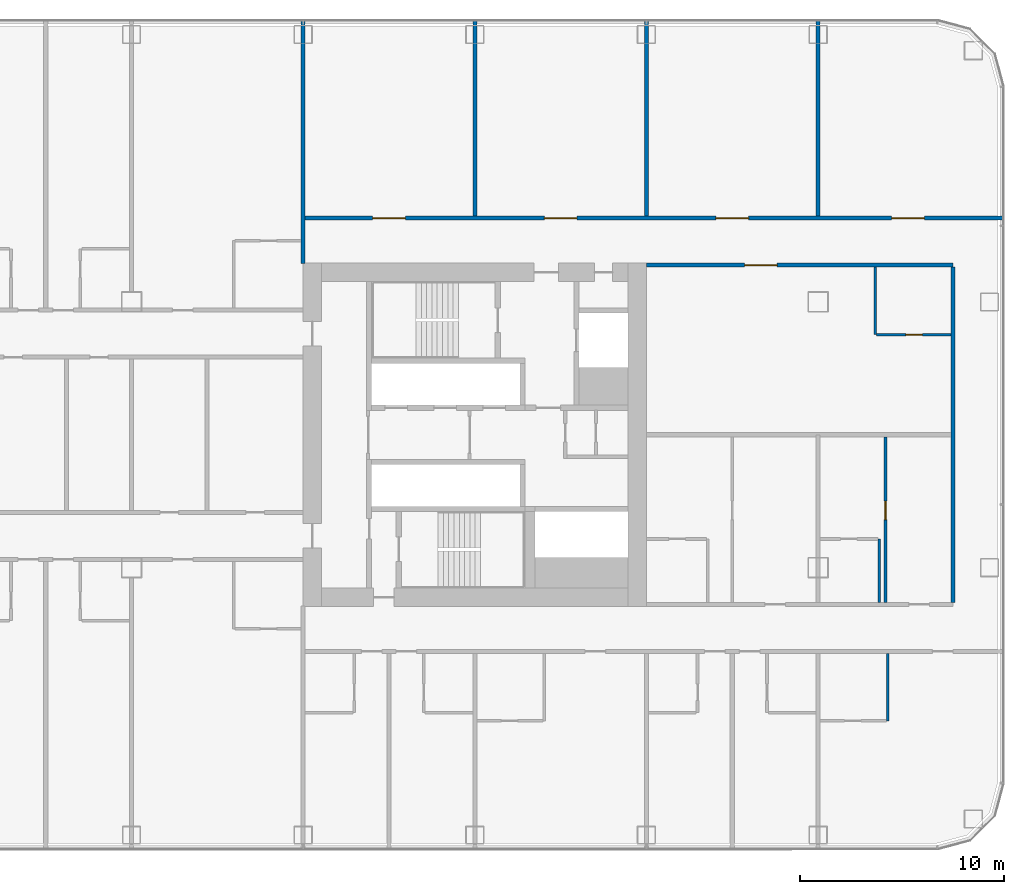
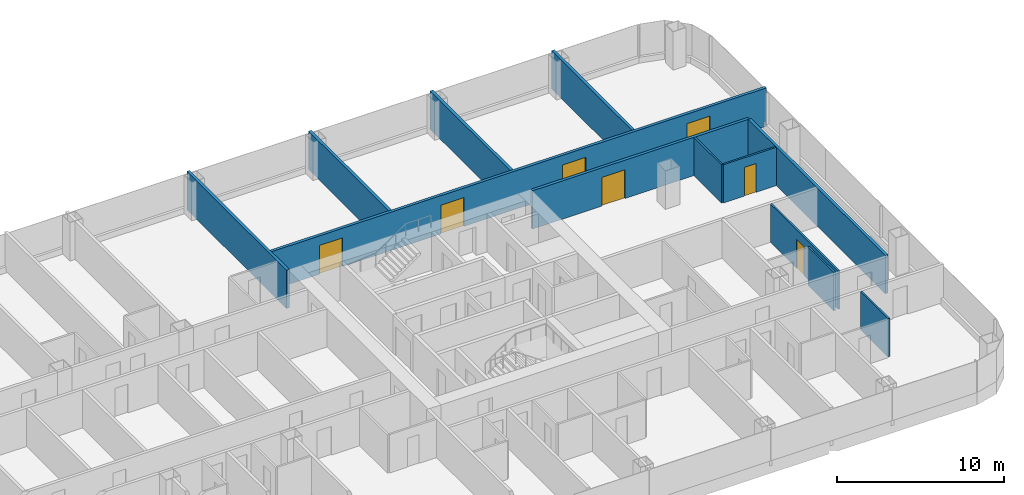
# One storey, part 20 of 29: 12 walls, 7 doors, 7 openings.
"""IFC4 building model written with IfcOpenShell, lengths in metres."""

from ifc_helpers import new_model, si_unit, direction, frame, frame_2d, origin, place, context, subcontext, project, spatial, rectangle, extrude, material, layer, layer_set, type_object, element, fill, save


model = new_model("IFC4")

# Units and contexts
model_context = context("Model", 3, precision=1e-05, world=origin(), true_north=direction((0.0, 1.0)))
body_context = subcontext(model_context, "Body", "Model", "MODEL_VIEW")
ifc_project = project(units=[si_unit("LENGTHUNIT", "METRE"), si_unit("AREAUNIT", "SQUARE_METRE"), si_unit("VOLUMEUNIT", "CUBIC_METRE"), si_unit("PLANEANGLEUNIT", "RADIAN"), si_unit("MASSUNIT", "GRAM", prefix="KILO")], contexts=[model_context])

# Site, building, storey
site_placement = place(None, origin())
site = spatial("IfcSite", under=ifc_project, at=site_placement, CompositionType="ELEMENT")
building_placement = place(site_placement, origin())
building = spatial("IfcBuilding", under=site, at=building_placement, Name="Hakoniwa Tower and Hamabe Station Hall", CompositionType="ELEMENT")
storey_placement = place(building_placement, frame((0.0, 0.0, 29.39990234375)))
storey = spatial("IfcBuildingStorey", under=building, at=storey_placement, Name="L07", CompositionType="ELEMENT", Elevation=29.39990234375)

# Wall, opening, door
ifc_material_1 = material(Name="Gypsum board partition", Category="gypsum")
ifc_layer_1 = layer(ifc_material_1, 0.125)
ifc_layer_set_1 = layer_set([ifc_layer_1], Name="Bathroom Partition 125")
wall_type_1 = type_object("IfcWallType", Name="Bathroom Partition 125", PredefinedType="PARTITIONING", material=ifc_layer_set_1)
wall_1_placement = place(storey_placement, frame((44.862548828125, 4.89990234375, 0.0), z_axis=(0.0, 0.0, 1.0), x_axis=(1.0, 0.0, 0.0)))
wall_1 = element("IfcWall", 1, at=wall_1_placement, inside=storey, type_object=wall_type_1, Name="GW-L07-030", PredefinedType="PARTITIONING", context=body_context, shape_type="SweptSolid", body=[
    extrude(rectangle(XDim=3.637451171875, YDim=0.125, at=frame_2d((1.81884765625, 0.0))), origin(), (0.0, 0.0, 1.0), 2.800048828125),
])
opening_1_placement = place(wall_1_placement, frame((1.4375, 0.0, 0.0)))
opening_1 = element("IfcOpeningElement", 2, at=opening_1_placement, cuts=wall_1, Name="Opening GD-G1D0-39", PredefinedType="OPENING", context=body_context, shape_type="SweptSolid", body=[
    extrude(rectangle(XDim=0.800048828125, YDim=2.10009765625, at=frame_2d((0.39990234375, 1.050048828125))), frame((0.0, 0.072509765625, 0.0), z_axis=(0.0, -1.0, 0.0), x_axis=(1.0, 0.0, 0.0)), (0.0, 0.0, 1.0), 0.14501953125),
])
ifc_material_2 = material(Name="Timber door leaf", Category="wood")
door_type_1 = type_object("IfcDoorType", Name="Bathroom Door 800", OperationType="SINGLE_SWING_LEFT", PredefinedType="DOOR", material=ifc_material_2)
door_1_placement = place(opening_1_placement, origin())
door_1 = element("IfcDoor", 3, at=door_1_placement, inside=storey, type_object=door_type_1, Name="Door GD-G1D0-39", OperationType="SINGLE_SWING_RIGHT", OverallHeight=2.10009765625, OverallWidth=0.800048828125, PredefinedType="DOOR", context=body_context, shape_type="SweptSolid", body=[
    extrude(rectangle(XDim=0.800048828125, YDim=2.10009765625, at=frame_2d((0.39990234375, 1.050048828125))), frame((0.0, 0.02490234375, 0.0), z_axis=(0.0, -1.0, 0.0), x_axis=(1.0, 0.0, 0.0)), (0.0, 0.0, 1.0), 0.050048828125),
])
fill(opening_1, door_1)

# Walls
wall_2_placement = place(storey_placement, frame((44.800048828125, 4.89990234375, 0.0), z_axis=(0.0, 0.0, 1.0), x_axis=(0.0, 1.0, 0.0)))
element("IfcWall", 4, at=wall_2_placement, inside=storey, type_object=wall_type_1, Name="GW-L07-112", PredefinedType="PARTITIONING", context=body_context, shape_type="SweptSolid", body=[
    extrude(rectangle(XDim=3.300048828125, YDim=0.125, at=frame_2d((1.64990234375, 0.0))), origin(), (0.0, 0.0, 1.0), 2.800048828125),
])
wall_3_placement = place(storey_placement, frame((45.0, -8.199951171875, 0.0), z_axis=(0.0, 0.0, 1.0), x_axis=(0.0, 1.0, 0.0)))
element("IfcWall", 5, at=wall_3_placement, inside=storey, type_object=wall_type_1, Name="GW-L07-113", PredefinedType="PARTITIONING", context=body_context, shape_type="SweptSolid", body=[
    extrude(rectangle(XDim=3.099853515625, YDim=0.125, at=frame_2d((1.5498046875, 0.0))), origin(), (0.0, 0.0, 1.0), 2.800048828125),
])
wall_4_placement = place(storey_placement, frame((45.39990234375, -14.0, 0.0), z_axis=(0.0, 0.0, 1.0), x_axis=(0.0, 1.0, 0.0)))
element("IfcWall", 6, at=wall_4_placement, inside=storey, type_object=wall_type_1, Name="GW-L07-115", PredefinedType="PARTITIONING", context=body_context, shape_type="SweptSolid", body=[
    extrude(rectangle(XDim=3.300048828125, YDim=0.125, at=frame_2d((1.64990234375, 0.0))), origin(), (0.0, 0.0, 1.0), 2.800048828125),
])

# Wall, opening, door
ifc_material_3 = material(Name="Fire-rated gypsum board partition", Category="gypsum")
ifc_layer_2 = layer(ifc_material_3, 0.199951171875)
ifc_layer_set_2 = layer_set([ifc_layer_2], Name="Corridor Wall 200")
wall_type_2 = type_object("IfcWallType", Name="Corridor Wall 200", PredefinedType="PARTITIONING", material=ifc_layer_set_2)
wall_5_placement = place(storey_placement, frame((33.60009765625, 8.300048828125, 0.0), z_axis=(0.0, 0.0, 1.0), x_axis=(1.0, 0.0, 0.0)))
wall_5 = element("IfcWall", 7, at=wall_5_placement, inside=storey, type_object=wall_type_2, Name="GW-L07-034", PredefinedType="PARTITIONING", context=body_context, shape_type="SweptSolid", body=[
    extrude(rectangle(XDim=15.0, YDim=0.199951171875, at=frame_2d((7.5, 0.0))), origin(), (0.0, 0.0, 1.0), 2.800048828125),
])
opening_2_placement = place(wall_5_placement, frame((4.800048828125, 0.0, 0.0)))
opening_2 = element("IfcOpeningElement", 8, at=opening_2_placement, cuts=wall_5, Name="Opening GD-G1D0-47", PredefinedType="OPENING", context=body_context, shape_type="SweptSolid", body=[
    extrude(rectangle(XDim=1.60009765625, YDim=2.10009765625, at=frame_2d((0.800048828125, 1.050048828125))), frame((0.0, 0.10986328125, 0.0), z_axis=(0.0, -1.0, 0.0), x_axis=(1.0, 0.0, 0.0)), (0.0, 0.0, 1.0), 0.219970703125),
])
ifc_material_4 = material(Name="Timber door leaf", Category="wood")
door_type_2 = type_object("IfcDoorType", Name="Double Door 1600", OperationType="DOUBLE_DOOR_SINGLE_SWING", PredefinedType="DOOR", material=ifc_material_4)
door_2_placement = place(opening_2_placement, origin())
door_2 = element("IfcDoor", 9, at=door_2_placement, inside=storey, type_object=door_type_2, Name="Door GD-G1D0-47", OperationType="DOUBLE_DOOR_SINGLE_SWING", OverallHeight=2.10009765625, OverallWidth=1.60009765625, PredefinedType="DOOR", context=body_context, shape_type="SweptSolid", body=[
    extrude(rectangle(XDim=1.60009765625, YDim=2.10009765625, at=frame_2d((0.800048828125, 1.050048828125))), frame((0.0, 0.02490234375, 0.0), z_axis=(0.0, -1.0, 0.0), x_axis=(1.0, 0.0, 0.0)), (0.0, 0.0, 1.0), 0.050048828125),
])
fill(opening_2, door_2)

# Wall, openings, doors
wall_6_placement = place(storey_placement, frame((16.800048828125, 10.60009765625, 0.0), z_axis=(0.0, 0.0, 1.0), x_axis=(1.0, 0.0, 0.0)))
wall_6 = element("IfcWall", 10, at=wall_6_placement, inside=storey, type_object=wall_type_2, Name="GW-L07-042", PredefinedType="PARTITIONING", context=body_context, shape_type="SweptSolid", body=[
    extrude(rectangle(XDim=34.300048828125, YDim=0.199951171875, at=frame_2d((17.14990234375, 0.0))), origin(), (0.0, 0.0, 1.0), 2.800048828125),
])
opening_3_placement = place(wall_6_placement, frame((3.39990234375, 0.0, 0.0)))
opening_3 = element("IfcOpeningElement", 11, at=opening_3_placement, cuts=wall_6, Name="Opening GD-G1D0-57", PredefinedType="OPENING", context=body_context, shape_type="SweptSolid", body=[
    extrude(rectangle(XDim=1.60009765625, YDim=2.10009765625, at=frame_2d((0.800048828125, 1.050048828125))), frame((0.0, 0.10986328125, 0.0), z_axis=(0.0, -1.0, 0.0), x_axis=(1.0, 0.0, 0.0)), (0.0, 0.0, 1.0), 0.219970703125),
])
opening_4_placement = place(wall_6_placement, frame((11.800048828125, 0.0, 0.0)))
opening_4 = element("IfcOpeningElement", 12, at=opening_4_placement, cuts=wall_6, Name="Opening GD-G1D0-58", PredefinedType="OPENING", context=body_context, shape_type="SweptSolid", body=[
    extrude(rectangle(XDim=1.60009765625, YDim=2.10009765625, at=frame_2d((0.800048828125, 1.050048828125))), frame((0.0, 0.10986328125, 0.0), z_axis=(0.0, -1.0, 0.0), x_axis=(1.0, 0.0, 0.0)), (0.0, 0.0, 1.0), 0.219970703125),
])
opening_5_placement = place(wall_6_placement, frame((20.199951171875, 0.0, 0.0)))
opening_5 = element("IfcOpeningElement", 13, at=opening_5_placement, cuts=wall_6, Name="Opening GD-G1D0-59", PredefinedType="OPENING", context=body_context, shape_type="SweptSolid", body=[
    extrude(rectangle(XDim=1.60009765625, YDim=2.10009765625, at=frame_2d((0.800048828125, 1.050048828125))), frame((0.0, 0.10986328125, 0.0), z_axis=(0.0, -1.0, 0.0), x_axis=(1.0, 0.0, 0.0)), (0.0, 0.0, 1.0), 0.219970703125),
])
opening_6_placement = place(wall_6_placement, frame((28.800048828125, 0.0, 0.0)))
opening_6 = element("IfcOpeningElement", 14, at=opening_6_placement, cuts=wall_6, Name="Opening GD-G1D0-60", PredefinedType="OPENING", context=body_context, shape_type="SweptSolid", body=[
    extrude(rectangle(XDim=1.60009765625, YDim=2.10009765625, at=frame_2d((0.800048828125, 1.050048828125))), frame((0.0, 0.10986328125, 0.0), z_axis=(0.0, -1.0, 0.0), x_axis=(1.0, 0.0, 0.0)), (0.0, 0.0, 1.0), 0.219970703125),
])
door_3_placement = place(opening_3_placement, origin())
door_3 = element("IfcDoor", 15, at=door_3_placement, inside=storey, type_object=door_type_2, Name="Door GD-G1D0-57", OperationType="DOUBLE_DOOR_SINGLE_SWING", OverallHeight=2.10009765625, OverallWidth=1.60009765625, PredefinedType="DOOR", context=body_context, shape_type="SweptSolid", body=[
    extrude(rectangle(XDim=1.60009765625, YDim=2.10009765625, at=frame_2d((0.800048828125, 1.050048828125))), frame((0.0, 0.02490234375, 0.0), z_axis=(0.0, -1.0, 0.0), x_axis=(1.0, 0.0, 0.0)), (0.0, 0.0, 1.0), 0.050048828125),
])
fill(opening_3, door_3)
door_4_placement = place(opening_4_placement, origin())
door_4 = element("IfcDoor", 16, at=door_4_placement, inside=storey, type_object=door_type_2, Name="Door GD-G1D0-58", OperationType="DOUBLE_DOOR_SINGLE_SWING", OverallHeight=2.10009765625, OverallWidth=1.60009765625, PredefinedType="DOOR", context=body_context, shape_type="SweptSolid", body=[
    extrude(rectangle(XDim=1.60009765625, YDim=2.10009765625, at=frame_2d((0.800048828125, 1.050048828125))), frame((0.0, 0.02490234375, 0.0), z_axis=(0.0, -1.0, 0.0), x_axis=(1.0, 0.0, 0.0)), (0.0, 0.0, 1.0), 0.050048828125),
])
fill(opening_4, door_4)
door_5_placement = place(opening_5_placement, origin())
door_5 = element("IfcDoor", 17, at=door_5_placement, inside=storey, type_object=door_type_2, Name="Door GD-G1D0-59", OperationType="DOUBLE_DOOR_SINGLE_SWING", OverallHeight=2.10009765625, OverallWidth=1.60009765625, PredefinedType="DOOR", context=body_context, shape_type="SweptSolid", body=[
    extrude(rectangle(XDim=1.60009765625, YDim=2.10009765625, at=frame_2d((0.800048828125, 1.050048828125))), frame((0.0, 0.02490234375, 0.0), z_axis=(0.0, -1.0, 0.0), x_axis=(1.0, 0.0, 0.0)), (0.0, 0.0, 1.0), 0.050048828125),
])
fill(opening_5, door_5)
door_6_placement = place(opening_6_placement, origin())
door_6 = element("IfcDoor", 18, at=door_6_placement, inside=storey, type_object=door_type_2, Name="Door GD-G1D0-60", OperationType="DOUBLE_DOOR_SINGLE_SWING", OverallHeight=2.10009765625, OverallWidth=1.60009765625, PredefinedType="DOOR", context=body_context, shape_type="SweptSolid", body=[
    extrude(rectangle(XDim=1.60009765625, YDim=2.10009765625, at=frame_2d((0.800048828125, 1.050048828125))), frame((0.0, 0.02490234375, 0.0), z_axis=(0.0, -1.0, 0.0), x_axis=(1.0, 0.0, 0.0)), (0.0, 0.0, 1.0), 0.050048828125),
])
fill(opening_6, door_6)

# Walls
ifc_material_5 = material(Name="Fire-rated gypsum board partition", Category="gypsum")
ifc_layer_3 = layer(ifc_material_5, 0.199951171875)
ifc_layer_set_3 = layer_set([ifc_layer_3], Name="Party Wall 200")
wall_type_3 = type_object("IfcWallType", Name="Party Wall 200", PredefinedType="PARTITIONING", material=ifc_layer_set_3)
wall_7_placement = place(storey_placement, frame((16.800048828125, 8.389892578125, 0.0), z_axis=(0.0, 0.0, 1.0), x_axis=(0.0, 1.0, 0.0)))
element("IfcWall", 19, at=wall_7_placement, inside=storey, type_object=wall_type_3, Name="GW-L07-095", PredefinedType="PARTITIONING", context=body_context, shape_type="SweptSolid", body=[
    extrude(rectangle(XDim=11.91015625, YDim=0.199951171875, at=frame_2d((5.955078125, 0.0))), origin(), (0.0, 0.0, 1.0), 2.800048828125),
])
for number, where, z_axis, x_axis, name in (
    (20, (25.199951171875, 10.699951171875, 0.0), (0.0, 0.0, 1.0), (0.0, 1.0, 0.0), "GW-L07-100"),
    (21, (33.60009765625, 10.699951171875, 0.0), (0.0, 0.0, 1.0), (0.0, 1.0, 0.0), "GW-L07-103"),
    (22, (42.0, 10.699951171875, 0.0), (0.0, 0.0, 1.0), (0.0, 1.0, 0.0), "GW-L07-111"),
):
    element("IfcWall", number, at=place(storey_placement, frame(where, z_axis=z_axis, x_axis=x_axis)), inside=storey, type_object=wall_type_3, Name=name, PredefinedType="PARTITIONING", context=body_context, shape_type="SweptSolid", body=[
        extrude(rectangle(XDim=9.60009765625, YDim=0.199951171875, at=frame_2d((4.800048828125, 0.0))), origin(), (0.0, 0.0, 1.0), 2.800048828125),
    ])
wall_8_placement = place(storey_placement, frame((48.60009765625, -8.199951171875, 0.0), z_axis=(0.0, 0.0, 1.0), x_axis=(0.0, 1.0, 0.0)))
element("IfcWall", 23, at=wall_8_placement, inside=storey, type_object=wall_type_3, Name="GW-L07-116", PredefinedType="PARTITIONING", context=body_context, shape_type="SweptSolid", body=[
    extrude(rectangle(XDim=16.39990234375, YDim=0.199951171875, at=frame_2d((8.199951171875, 0.0))), origin(), (0.0, 0.0, 1.0), 2.800048828125),
])

# Wall, opening, door
ifc_material_6 = material(Name="Gypsum board partition", Category="gypsum")
ifc_layer_4 = layer(ifc_material_6, 0.125)
ifc_layer_set_4 = layer_set([ifc_layer_4], Name="Room Partition 125")
wall_type_4 = type_object("IfcWallType", Name="Room Partition 125", PredefinedType="PARTITIONING", material=ifc_layer_set_4)
wall_9_placement = place(storey_placement, frame((45.300048828125, -8.199951171875, 0.0), z_axis=(0.0, 0.0, 1.0), x_axis=(0.0, 1.0, 0.0)))
wall_9 = element("IfcWall", 24, at=wall_9_placement, inside=storey, type_object=wall_type_4, Name="GW-L07-114", PredefinedType="PARTITIONING", context=body_context, shape_type="SweptSolid", body=[
    extrude(rectangle(XDim=8.099853515625, YDim=0.125, at=frame_2d((4.0498046875, 0.0))), origin(), (0.0, 0.0, 1.0), 2.800048828125),
])
opening_7_placement = place(wall_9_placement, frame((4.050048828125, 0.0, 0.0)))
opening_7 = element("IfcOpeningElement", 25, at=opening_7_placement, cuts=wall_9, Name="Opening GD-G1D0-79", PredefinedType="OPENING", context=body_context, shape_type="SweptSolid", body=[
    extrude(rectangle(XDim=0.89990234375, YDim=2.10009765625, at=frame_2d((0.449951171875, 1.050048828125))), frame((0.0, 0.072509765625, 0.0), z_axis=(0.0, -1.0, 0.0), x_axis=(1.0, 0.0, 0.0)), (0.0, 0.0, 1.0), 0.14501953125),
])
ifc_material_7 = material(Name="Timber door leaf", Category="wood")
door_type_3 = type_object("IfcDoorType", Name="Suite Interior Door 900", OperationType="SINGLE_SWING_LEFT", PredefinedType="DOOR", material=ifc_material_7)
door_7_placement = place(opening_7_placement, origin())
door_7 = element("IfcDoor", 26, at=door_7_placement, inside=storey, type_object=door_type_3, Name="Door GD-G1D0-79", OperationType="SINGLE_SWING_RIGHT", OverallHeight=2.10009765625, OverallWidth=0.89990234375, PredefinedType="DOOR", context=body_context, shape_type="SweptSolid", body=[
    extrude(rectangle(XDim=0.89990234375, YDim=2.10009765625, at=frame_2d((0.449951171875, 1.050048828125))), frame((0.0, 0.02490234375, 0.0), z_axis=(0.0, -1.0, 0.0), x_axis=(1.0, 0.0, 0.0)), (0.0, 0.0, 1.0), 0.050048828125),
])
fill(opening_7, door_7)

save(model, "model.ifc")
